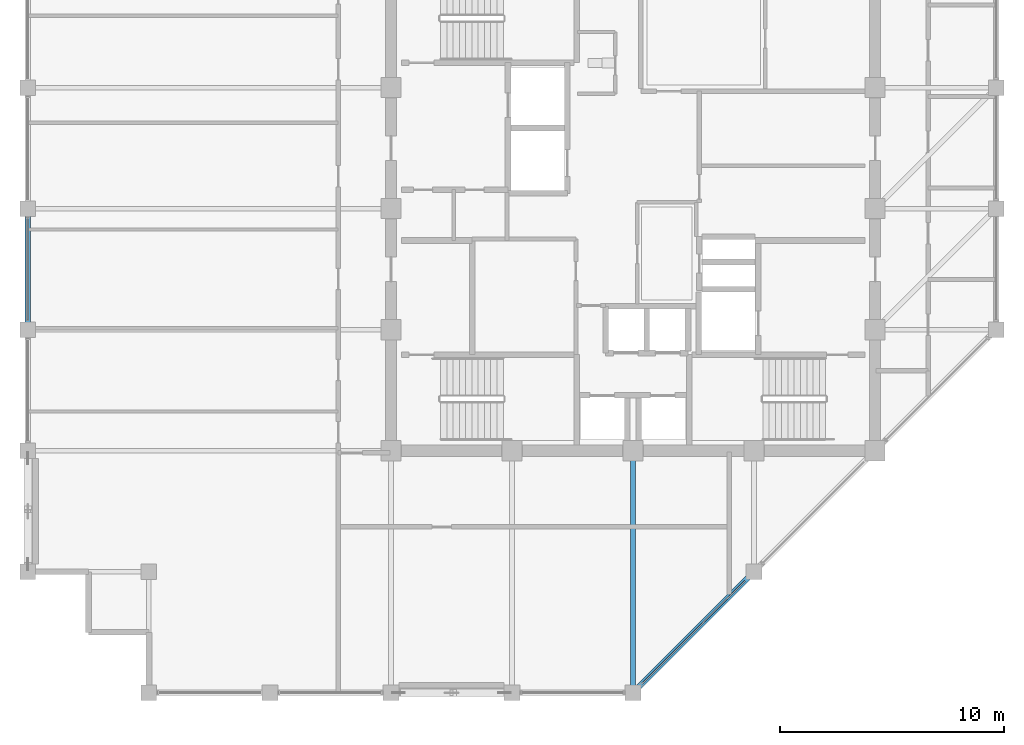
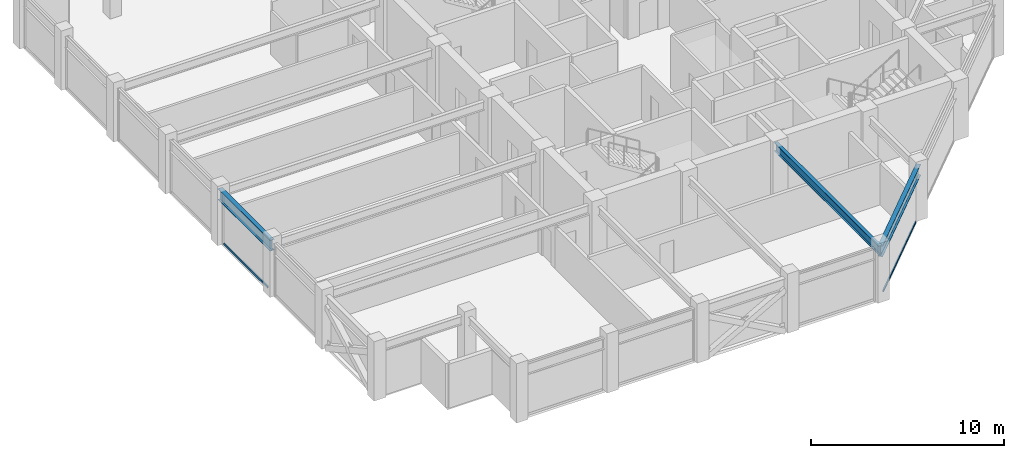
# One storey, part 7 of 31: 3 beams, 2 members, 2 elements without a shape of their own.
"""IFC4 building model written with IfcOpenShell, lengths in metres."""

import ifcopenshell
import ifcopenshell.guid

model = None  # the IFC model being written
_history = None  # IfcOwnerHistory: only IFC2X3 demands one
_inside = {}  # id of a spatial element -> (the spatial element, [elements in it])
_under = {}  # id of a project, library or spatial element -> (it, [spatial elements below it])
_declared = {}  # id of a project -> (the project, [libraries it declares])
_typed = {}  # id of a type object -> (the type object, [elements of that type])
_made_of = {}  # id of a material, layer set ... -> (it, [elements and type objects made of it])


def new_model(schema):
    """Start an empty IFC model of exactly this schema.

    Asked for "IFC4X3", IfcOpenShell would pick the latest addendum, in which some entities
    have other attributes; the version numbers below select the first issue.
    IFC2X3 requires an IfcOwnerHistory on every rooted entity: one is made here for all.
    """
    global model, _history
    if schema == "IFC4X3":
        model = ifcopenshell.file(schema_version=(4, 3, 0, 0))
    else:
        model = ifcopenshell.file(schema=schema)
    _inside.clear()
    _under.clear()
    _declared.clear()
    _typed.clear()
    _made_of.clear()
    _history = None
    if model.schema == "IFC2X3":
        org = make("IfcOrganization", Name="unknown")
        user = make(
            "IfcPersonAndOrganization",
            ThePerson=make("IfcPerson", FamilyName="unknown"),
            TheOrganization=org,
        )
        app = make(
            "IfcApplication",
            ApplicationDeveloper=org,
            Version="unknown",
            ApplicationFullName="unknown",
            ApplicationIdentifier="unknown",
        )
        _history = make(
            "IfcOwnerHistory",
            OwningUser=user,
            OwningApplication=app,
            ChangeAction="ADDED",
            CreationDate=0,
        )
    return model


def make(cls, **values):
    """One entity of the class cls with the attributes given. An attribute that is None is left unset."""
    return model.create_entity(
        cls, **{name: value for name, value in values.items() if value is not None}
    )


def rooted(cls, **values):
    """An entity with a GlobalId (a new one), such as an element, a storey or a relation."""
    return make(cls, GlobalId=ifcopenshell.guid.new(), OwnerHistory=_history, **values)


def si_unit(unit_type, name, prefix=None):
    """IfcSIUnit, for example si_unit("LENGTHUNIT", "METRE", prefix="MILLI")."""
    return make("IfcSIUnit", UnitType=unit_type, Prefix=prefix, Name=name)


def assignment(units):
    """IfcUnitAssignment: the units of a project."""
    return None if units is None else make("IfcUnitAssignment", Units=units)


def point(xyz):
    """IfcCartesianPoint."""
    return None if xyz is None else make("IfcCartesianPoint", Coordinates=xyz)


def direction(xyz):
    """IfcDirection."""
    return None if xyz is None else make("IfcDirection", DirectionRatios=xyz)


def frame(location, z_axis=None, x_axis=None):
    """IfcAxis2Placement3D, a coordinate frame: its origin and axes. An axis left out is left unset."""
    return make(
        "IfcAxis2Placement3D",
        Location=point(location),
        Axis=direction(z_axis),
        RefDirection=direction(x_axis),
    )


def frame_2d(location, x_axis=None):
    """IfcAxis2Placement2D, a coordinate frame in the plane: its origin and x axis."""
    return make(
        "IfcAxis2Placement2D", Location=point(location), RefDirection=direction(x_axis)
    )


def origin():
    """The frame at (0, 0, 0) with its axes left unset."""
    return frame((0.0, 0.0, 0.0))


def origin_2d():
    """The frame at (0, 0) in the plane with its x axis left unset."""
    return frame_2d((0.0, 0.0))


def place(relative_to, where):
    """IfcLocalPlacement: puts the frame where relative to a parent placement (None: the world)."""
    return make(
        "IfcLocalPlacement", PlacementRelTo=relative_to, RelativePlacement=where
    )


def context(
    kind, dimensions, precision=None, world=None, true_north=None, identifier=None
):
    """IfcGeometricRepresentationContext, for example the 3D "Model" context."""
    return make(
        "IfcGeometricRepresentationContext",
        ContextIdentifier=identifier,
        ContextType=kind,
        CoordinateSpaceDimension=dimensions,
        Precision=precision,
        WorldCoordinateSystem=world,
        TrueNorth=true_north,
    )


def subcontext(parent, identifier, kind, view, scale=None):
    """IfcGeometricRepresentationSubContext, for example "Body" below "Model"."""
    return make(
        "IfcGeometricRepresentationSubContext",
        ContextIdentifier=identifier,
        ContextType=kind,
        ParentContext=parent,
        TargetScale=scale,
        TargetView=view,
    )


def project(units=None, contexts=None):
    """IfcProject with its units and contexts."""
    return rooted(
        "IfcProject",
        Name="project",
        RepresentationContexts=contexts,
        UnitsInContext=assignment(units),
    )


def spatial(cls, under=None, at=None, **own):
    """A site, building, storey or space (cls), placed at a placement, below another one or the project."""
    s = rooted(cls, ObjectPlacement=at, **own)
    if under is not None:
        _under.setdefault(under.id(), (under, []))[1].append(s)
    return s


def profile(cls, at=None, kind="AREA", **sizes):
    """A parametric profile (cls). Its sizes go by their IFC names, for example OverallWidth=200.0."""
    return make(cls, ProfileType=kind, Position=at, **sizes)


def hollow_rectangle(**sizes):
    """IfcRectangleHollowProfileDef."""
    return profile("IfcRectangleHollowProfileDef", **sizes)


def i_section(**sizes):
    """IfcIShapeProfileDef."""
    return profile("IfcIShapeProfileDef", **sizes)


def extrude(swept, where, along, depth):
    """IfcExtrudedAreaSolid: the profile swept, set in the frame where, extruded along a direction by depth."""
    return make(
        "IfcExtrudedAreaSolid",
        SweptArea=swept,
        Position=where,
        ExtrudedDirection=direction(along),
        Depth=depth,
    )


def shape(context_of_items, identifier, shape_type, items):
    """IfcShapeRepresentation: the items that make up one representation, for example the "Body"."""
    return make(
        "IfcShapeRepresentation",
        ContextOfItems=context_of_items,
        RepresentationIdentifier=identifier,
        RepresentationType=shape_type,
        Items=items,
    )


def material(Name=None, Category=None):
    """IfcMaterial."""
    return make("IfcMaterial", Name=Name, Category=Category)


def layer(
    of_material, thickness, ventilated=None, Name=None, Category=None, Priority=None
):
    """IfcMaterialLayer: one layer of a wall or slab, of a material (None: an air gap)."""
    return make(
        "IfcMaterialLayer",
        Material=of_material,
        LayerThickness=thickness,
        IsVentilated=ventilated,
        Name=Name,
        Category=Category,
        Priority=Priority,
    )


def layer_set(layers, Name=None):
    """IfcMaterialLayerSet."""
    return make("IfcMaterialLayerSet", MaterialLayers=layers, LayerSetName=Name)


def material_profile(
    of_material, cross_section, Name=None, Category=None, Priority=None
):
    """IfcMaterialProfile: a cross section and its material."""
    return make(
        "IfcMaterialProfile",
        Name=Name,
        Material=of_material,
        Profile=cross_section,
        Priority=Priority,
        Category=Category,
    )


def profile_set(profiles, Name=None, composite=None):
    """IfcMaterialProfileSet."""
    return make(
        "IfcMaterialProfileSet",
        Name=Name,
        MaterialProfiles=profiles,
        CompositeProfile=composite,
    )


def made_of(thing, what):
    """Note that an element or type object is made of a material, layer set ...; save() writes the relation."""
    if what is not None:
        _made_of.setdefault(what.id(), (what, []))[1].append(thing)
    return thing


def type_object(cls, material=None, **own):
    """A type object (cls), such as IfcWallType, which elements share."""
    return made_of(rooted(cls, **own), material)


def element(
    cls,
    number,
    at=None,
    inside=None,
    cuts=None,
    type_object=None,
    material=None,
    context=None,
    identifier="Body",
    shape_type=None,
    held_by="IfcProductDefinitionShape",
    body=None,
    shapes=None,
    **own,
):
    """One element of the class cls, such as IfcWall. Its Tag is "e" and its number.

    at: its placement. inside: the storey or other place that contains it. cuts: it is an
    opening in that element (IfcRelVoidsElement). A single representation is given by context,
    identifier, shape_type and body (its items); several are given by shapes. held_by: the class
    of the entity that holds the representations. save() writes the other relations.
    """
    e = rooted(cls, Tag="e%d" % number, ObjectPlacement=at, **own)
    if body is not None:
        shapes = [shape(context, identifier, shape_type, body)]
    if shapes is not None:
        e.Representation = make(held_by, Representations=shapes)
    if inside is not None:
        _inside.setdefault(inside.id(), (inside, []))[1].append(e)
    if cuts is not None:
        rooted(
            "IfcRelVoidsElement", RelatingBuildingElement=cuts, RelatedOpeningElement=e
        )
    if type_object is not None:
        _typed.setdefault(type_object.id(), (type_object, []))[1].append(e)
    return made_of(e, material)


def aggregate(whole, parts):
    """IfcRelAggregates: a whole, such as a stair, and the parts it consists of."""
    return rooted("IfcRelAggregates", RelatingObject=whole, RelatedObjects=parts)


def save(model, path):
    """Write the relations noted so far, then the file.

    IfcRelAggregates (storeys below a building ...), IfcRelContainedInSpatialStructure (elements
    in a storey), IfcRelDefinesByType, IfcRelAssociatesMaterial and IfcRelDeclares: one each for
    every whole, place, type object, material and project.
    """
    for whole, parts in _under.values():
        aggregate(whole, parts)
    for where, things in _inside.values():
        rooted(
            "IfcRelContainedInSpatialStructure",
            RelatedElements=things,
            RelatingStructure=where,
        )
    for kind, things in _typed.values():
        rooted("IfcRelDefinesByType", RelatedObjects=things, RelatingType=kind)
    for what, things in _made_of.values():
        rooted("IfcRelAssociatesMaterial", RelatedObjects=things, RelatingMaterial=what)
    for by, libraries in _declared.values():
        rooted("IfcRelDeclares", RelatingContext=by, RelatedDefinitions=libraries)
    model.write(path)


model = new_model("IFC4")

# Units and contexts
model_context = context("Model", 3, precision=1e-05, world=origin(), true_north=direction((0.0, 1.0)))
body_context = subcontext(model_context, "Body", "Model", "MODEL_VIEW")
ifc_project = project(units=[si_unit("LENGTHUNIT", "METRE"), si_unit("AREAUNIT", "SQUARE_METRE"), si_unit("VOLUMEUNIT", "CUBIC_METRE"), si_unit("PLANEANGLEUNIT", "RADIAN"), si_unit("MASSUNIT", "GRAM", prefix="KILO")], contexts=[model_context])

# Site, building, storey
site_placement = place(None, origin())
site = spatial("IfcSite", under=ifc_project, at=site_placement, CompositionType="ELEMENT")
building_placement = place(site_placement, origin())
building = spatial("IfcBuilding", under=site, at=building_placement, Name="Surkhivell Harbour Commons", CompositionType="ELEMENT")
storey_placement = place(building_placement, frame((0.0, 0.0, 333.75)))
storey = spatial("IfcBuildingStorey", under=building, at=storey_placement, Name="L87", CompositionType="ELEMENT", Elevation=333.75)

# Beams
ifc_material_1 = material(Name="Steel S355", Category="steel")
ifc_material_profile_1 = material_profile(ifc_material_1, i_section(OverallWidth=0.2099609375, OverallDepth=0.537109375, WebThickness=0.0107421875, FlangeThickness=0.017333984375, at=origin_2d()), Name="UB533x210x101")
ifc_profile_set_1 = profile_set([ifc_material_profile_1], Name="Steel S355")
beam_type_1 = type_object("IfcBeamType", Name="BM-GRD-533B", PredefinedType="BEAM", material=ifc_profile_set_1)
beam_1_placement = place(storey_placement, frame((0.0, -21.60009765625, 3.0615234375), z_axis=(0.0, 1.0, 0.0), x_axis=(-1.0, 0.0, 0.0)))
element("IfcBeam", 1, at=beam_1_placement, inside=storey, type_object=beam_type_1, Name="L87 Floor Girder (0.0,-21.6)", PredefinedType="BEAM", context=body_context, shape_type="SweptSolid", body=[
    extrude(i_section(OverallWidth=0.2099609375, OverallDepth=0.537109375, WebThickness=0.0107421875, FlangeThickness=0.017333984375, at=origin_2d()), origin(), (0.0, 0.0, 1.0), 10.800048828125),
])
ifc_material_profile_2 = material_profile(ifc_material_1, i_section(OverallWidth=0.256103515625, OverallDepth=0.693115234375, WebThickness=0.014404296875, FlangeThickness=0.023681640625, at=origin_2d()), Name="UB686x254x170")
ifc_profile_set_2 = profile_set([ifc_material_profile_2], Name="Steel S355")
beam_type_2 = type_object("IfcBeamType", Name="BM-SPN-686", PredefinedType="SPANDREL", material=ifc_profile_set_2)
beam_2_placement = place(storey_placement, frame((-27.0, -5.39990234375, 2.9833984375), z_axis=(0.0, 1.0, 0.0), x_axis=(-1.0, 0.0, 0.0)))
element("IfcBeam", 2, at=beam_2_placement, inside=storey, type_object=beam_type_2, Name="L87 Tube Spandrel (-27.0,-5.4)", PredefinedType="SPANDREL", context=body_context, shape_type="SweptSolid", body=[
    extrude(i_section(OverallWidth=0.256103515625, OverallDepth=0.693115234375, WebThickness=0.014404296875, FlangeThickness=0.023681640625, at=origin_2d()), origin(), (0.0, 0.0, 1.0), 5.39990234375),
])
beam_3_placement = place(storey_placement, frame((0.0, -21.60009765625, 2.9833984375), z_axis=(0.707090796496, 0.707122765516, 0.0), x_axis=(-0.707122765516, 0.707090796496, 0.0)))
element("IfcBeam", 3, at=beam_3_placement, inside=storey, type_object=beam_type_2, Name="L87 Tube Spandrel (-0.0,-21.6)", PredefinedType="SPANDREL", context=body_context, shape_type="SweptSolid", body=[
    extrude(i_section(OverallWidth=0.256103515625, OverallDepth=0.693115234375, WebThickness=0.014404296875, FlangeThickness=0.023681640625, at=origin_2d()), origin(), (0.0, 0.0, 1.0), 7.63671875),
])

# Curtain wall, member
ifc_material_2 = material(Name="Anodised pale-metal aluminium and insulated glazing", Category="aluminium")
ifc_layer = layer(ifc_material_2, 0.175048828125)
ifc_layer_set = layer_set([ifc_layer], Name="Anodised pale-metal aluminium and insulated glazing")
curtain_wall_type = type_object("IfcCurtainWallType", Name="CW-SYS-Z4", PredefinedType="NOTDEFINED", material=ifc_layer_set)
curtain_wall_1_placement = place(storey_placement, origin())
curtain_wall_1 = element("IfcCurtainWall", 4, at=curtain_wall_1_placement, inside=storey, type_object=curtain_wall_type, Name="L87 Curtain Wall CW-L87-E01", PredefinedType="NOTDEFINED")
ifc_material_3 = material(Name="Champagne anodised aluminium alloy 6063-T6", Category="aluminium")
ifc_material_profile_3 = material_profile(ifc_material_3, hollow_rectangle(XDim=0.070068359375, YDim=0.1298828125, WallThickness=0.00341796875, at=origin_2d()), Name="ALU-TRAN-70x130")
ifc_profile_set_3 = profile_set([ifc_material_profile_3], Name="Champagne anodised aluminium alloy 6063-T6")
member_type = type_object("IfcMemberType", Name="CWT-130", PredefinedType="USERDEFINED", material=ifc_profile_set_3)
member_1_placement = place(storey_placement, frame((0.404541015625, -21.1953125, 0.06494140625), z_axis=(0.707125583467, 0.707087978406, 0.0), x_axis=(-0.707087978406, 0.707125583467, 0.0)))
member_1 = element("IfcMember", 5, at=member_1_placement, type_object=member_type, Name="CW-Z4 transom 1.1", ObjectType="TRANSOM", PredefinedType="USERDEFINED", context=body_context, shape_type="SweptSolid", body=[
    extrude(hollow_rectangle(XDim=0.070068359375, YDim=0.1298828125, WallThickness=0.00341796875, at=origin_2d()), origin(), (0.0, 0.0, 1.0), 6.4921875),
])
aggregate(curtain_wall_1, [member_1])

curtain_wall_2_placement = place(storey_placement, origin())
curtain_wall_2 = element("IfcCurtainWall", 6, at=curtain_wall_2_placement, inside=storey, type_object=curtain_wall_type, Name="L87 Curtain Wall CW-L87-E12S1", PredefinedType="NOTDEFINED")
member_2_placement = place(storey_placement, frame((-27.0, -0.427001953125, 0.06494140625), z_axis=(0.0, -1.0, 0.0), x_axis=(1.0, 0.0, 0.0)))
member_2 = element("IfcMember", 7, at=member_2_placement, type_object=member_type, Name="CW-Z4 transom 5.1", ObjectType="TRANSOM", PredefinedType="USERDEFINED", context=body_context, shape_type="SweptSolid", body=[
    extrude(hollow_rectangle(XDim=0.070068359375, YDim=0.1298828125, WallThickness=0.00341796875, at=origin_2d()), origin(), (0.0, 0.0, 1.0), 4.5458984375),
])
aggregate(curtain_wall_2, [member_2])

save(model, "model.ifc")
